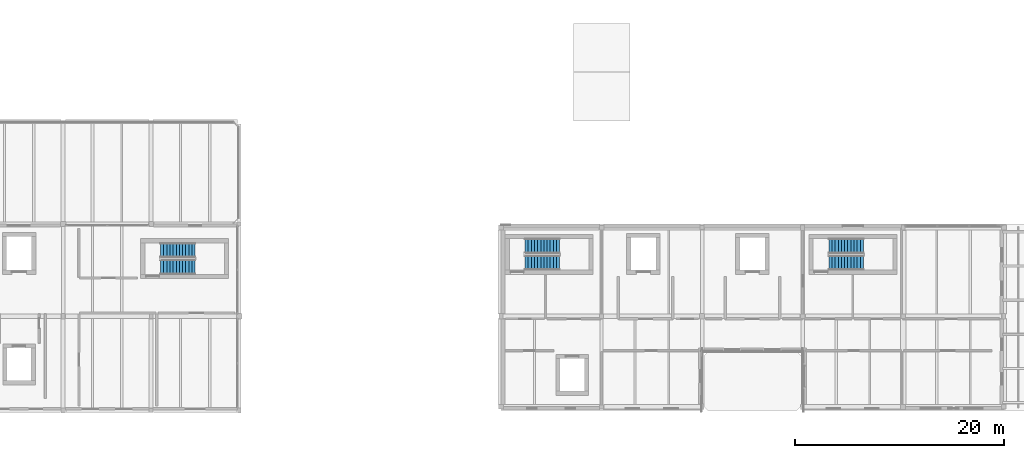
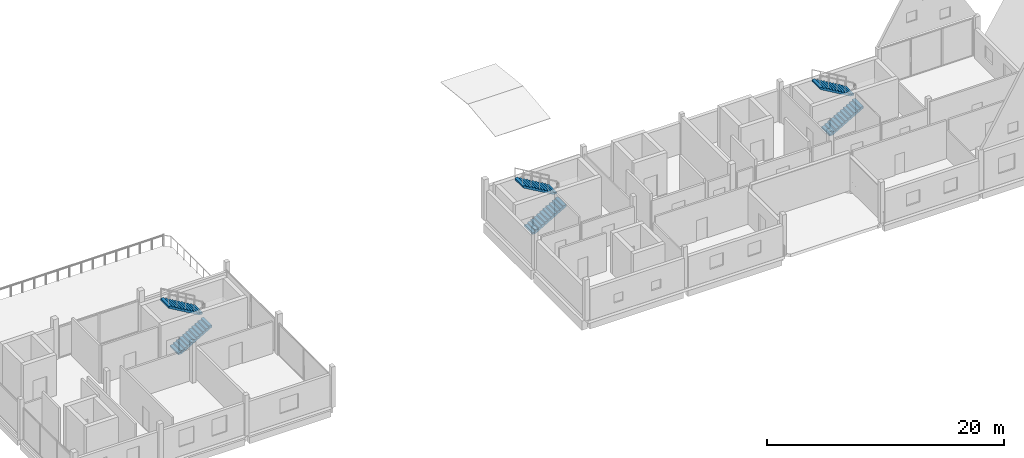
# One storey, part 18 of 23: 6 stair flights, 3 elements without a shape of their own.
"""IFC4 building model written with IfcOpenShell, lengths in metres."""

from ifc_helpers import new_model, si_unit, direction, frame, origin, place, context, subcontext, project, spatial, polyline, outline, extrude, material, type_object, element, aggregate, save


model = new_model("IFC4")

# Units and contexts
model_context = context("Model", 3, precision=1e-05, world=origin(), true_north=direction((0.0, 1.0)))
body_context = subcontext(model_context, "Body", "Model", "MODEL_VIEW")
ifc_project = project(units=[si_unit("LENGTHUNIT", "METRE"), si_unit("AREAUNIT", "SQUARE_METRE"), si_unit("VOLUMEUNIT", "CUBIC_METRE"), si_unit("PLANEANGLEUNIT", "RADIAN"), si_unit("MASSUNIT", "GRAM", prefix="KILO")], contexts=[model_context])

# Site, building, storey
site_placement = place(None, origin())
site = spatial("IfcSite", under=ifc_project, at=site_placement, CompositionType="ELEMENT")
building_placement = place(site_placement, origin())
building = spatial("IfcBuilding", under=site, at=building_placement, Name="Birchvale Park Specialist Clinic", CompositionType="ELEMENT")
storey_placement = place(building_placement, frame((0.0, 0.0, 18.0)))
storey = spatial("IfcBuildingStorey", under=building, at=storey_placement, Name="L04", CompositionType="ELEMENT", Elevation=18.0)

# Stair, stair flights
ifc_material = material(Name="Concrete C35/45", Category="concrete")
stair_type = type_object("IfcStairType", Name="ST-H42", PredefinedType="HALF_TURN_STAIR", material=ifc_material)
stair_1_placement = place(storey_placement, origin())
stair_1 = element("IfcStair", 1, at=stair_1_placement, inside=storey, type_object=stair_type, Name="L04 Protected exit stair ST2", PredefinedType="HALF_TURN_STAIR")
stair_flight_type = type_object("IfcStairFlightType", Name="FLT-ST-H42", PredefinedType="STRAIGHT", material=ifc_material)
stair_flight_1_placement = place(storey_placement, frame((28.89990234375, 30.5, 0.0), z_axis=(0.0, 0.0, 1.0), x_axis=(1.0, 0.0, 0.0)))
stair_flight_1 = element("IfcStairFlight", 2, at=stair_flight_1_placement, type_object=stair_flight_type, Name="ST2 flight 1", NumberOfRisers=12, NumberOfTreads=11, PredefinedType="STRAIGHT", RiserHeight=0.175, TreadLength=0.3, context=body_context, shape_type="SweptSolid", body=[
    extrude(outline(polyline([(0.0, 0.0), (0.0, 0.175048828125), (0.300048828125, 0.175048828125), (0.300048828125, 0.35009765625), (0.60009765625, 0.35009765625), (0.60009765625, 0.52490234375), (0.89990234375, 0.52490234375), (0.89990234375, 0.699951171875), (1.199951171875, 0.699951171875), (1.199951171875, 0.875), (1.5, 0.875), (1.5, 1.050048828125), (1.800048828125, 1.050048828125), (1.800048828125, 1.22509765625), (2.10009765625, 1.22509765625), (2.10009765625, 1.39990234375), (2.39990234375, 1.39990234375), (2.39990234375, 1.574951171875), (2.699951171875, 1.574951171875), (2.699951171875, 1.75), (3.0, 1.75), (3.0, 1.925048828125), (3.300048828125, 1.925048828125), (3.300048828125, 2.10009765625), (3.300048828125, 1.739990234375), (0.3173828125, 0.0), (0.0, 0.0)])), frame((0.0, 0.699951171875, 0.0), z_axis=(0.0, -1.0, 0.0), x_axis=(1.0, 0.0, 0.0)), (0.0, 0.0, 1.0), 1.39990234375),
])
stair_flight_2_placement = place(storey_placement, frame((32.199951171875, 32.10009765625, 2.10009765625), z_axis=(0.0, 0.0, 1.0), x_axis=(-1.0, 0.0, 0.0)))
stair_flight_2 = element("IfcStairFlight", 3, at=stair_flight_2_placement, type_object=stair_flight_type, Name="ST2 flight 2", NumberOfRisers=12, NumberOfTreads=11, PredefinedType="STRAIGHT", RiserHeight=0.175, TreadLength=0.3, context=body_context, shape_type="SweptSolid", body=[
    extrude(outline(polyline([(0.0, 0.0), (0.0, 0.175048828125), (0.300048828125, 0.175048828125), (0.300048828125, 0.35009765625), (0.60009765625, 0.35009765625), (0.60009765625, 0.52490234375), (0.89990234375, 0.52490234375), (0.89990234375, 0.699951171875), (1.199951171875, 0.699951171875), (1.199951171875, 0.875), (1.5, 0.875), (1.5, 1.050048828125), (1.800048828125, 1.050048828125), (1.800048828125, 1.22509765625), (2.10009765625, 1.22509765625), (2.10009765625, 1.39990234375), (2.39990234375, 1.39990234375), (2.39990234375, 1.574951171875), (2.699951171875, 1.574951171875), (2.699951171875, 1.75), (3.0, 1.75), (3.0, 1.925048828125), (3.300048828125, 1.925048828125), (3.300048828125, 2.10009765625), (3.300048828125, 1.739990234375), (0.3173828125, 0.0), (0.0, 0.0)])), frame((0.0, 0.699951171875, 0.0), z_axis=(0.0, -1.0, 0.0), x_axis=(1.0, 0.0, 0.0)), (0.0, 0.0, 1.0), 1.39990234375),
])
aggregate(stair_1, [stair_flight_1, stair_flight_2])

stair_2_placement = place(storey_placement, origin())
stair_2 = element("IfcStair", 4, at=stair_2_placement, inside=storey, type_object=stair_type, Name="L04 Protected exit stair ST4", PredefinedType="HALF_TURN_STAIR")
stair_flight_3_placement = place(storey_placement, frame((63.699951171875, 30.89990234375, 0.0), z_axis=(0.0, 0.0, 1.0), x_axis=(1.0, 0.0, 0.0)))
stair_flight_3 = element("IfcStairFlight", 5, at=stair_flight_3_placement, type_object=stair_flight_type, Name="ST4 flight 1", NumberOfRisers=12, NumberOfTreads=11, PredefinedType="STRAIGHT", RiserHeight=0.175, TreadLength=0.3, context=body_context, shape_type="SweptSolid", body=[
    extrude(outline(polyline([(0.0, 0.0), (0.0, 0.175048828125), (0.300048828125, 0.175048828125), (0.300048828125, 0.35009765625), (0.60009765625, 0.35009765625), (0.60009765625, 0.52490234375), (0.89990234375, 0.52490234375), (0.89990234375, 0.699951171875), (1.199951171875, 0.699951171875), (1.199951171875, 0.875), (1.5, 0.875), (1.5, 1.050048828125), (1.800048828125, 1.050048828125), (1.800048828125, 1.22509765625), (2.10009765625, 1.22509765625), (2.10009765625, 1.39990234375), (2.39990234375, 1.39990234375), (2.39990234375, 1.574951171875), (2.699951171875, 1.574951171875), (2.699951171875, 1.75), (3.0, 1.75), (3.0, 1.925048828125), (3.300048828125, 1.925048828125), (3.300048828125, 2.10009765625), (3.300048828125, 1.739990234375), (0.3173828125, 0.0), (0.0, 0.0)])), frame((0.0, 0.699951171875, 0.0), z_axis=(0.0, -1.0, 0.0), x_axis=(1.0, 0.0, 0.0)), (0.0, 0.0, 1.0), 1.39990234375),
])
stair_flight_4_placement = place(storey_placement, frame((67.0, 32.5, 2.10009765625), z_axis=(0.0, 0.0, 1.0), x_axis=(-1.0, 0.0, 0.0)))
stair_flight_4 = element("IfcStairFlight", 6, at=stair_flight_4_placement, type_object=stair_flight_type, Name="ST4 flight 2", NumberOfRisers=12, NumberOfTreads=11, PredefinedType="STRAIGHT", RiserHeight=0.175, TreadLength=0.3, context=body_context, shape_type="SweptSolid", body=[
    extrude(outline(polyline([(0.0, 0.0), (0.0, 0.175048828125), (0.300048828125, 0.175048828125), (0.300048828125, 0.35009765625), (0.60009765625, 0.35009765625), (0.60009765625, 0.52490234375), (0.89990234375, 0.52490234375), (0.89990234375, 0.699951171875), (1.199951171875, 0.699951171875), (1.199951171875, 0.875), (1.5, 0.875), (1.5, 1.050048828125), (1.800048828125, 1.050048828125), (1.800048828125, 1.22509765625), (2.10009765625, 1.22509765625), (2.10009765625, 1.39990234375), (2.39990234375, 1.39990234375), (2.39990234375, 1.574951171875), (2.699951171875, 1.574951171875), (2.699951171875, 1.75), (3.0, 1.75), (3.0, 1.925048828125), (3.300048828125, 1.925048828125), (3.300048828125, 2.10009765625), (3.300048828125, 1.739990234375), (0.3173828125, 0.0), (0.0, 0.0)])), frame((0.0, 0.699951171875, 0.0), z_axis=(0.0, -1.0, 0.0), x_axis=(1.0, 0.0, 0.0)), (0.0, 0.0, 1.0), 1.39990234375),
])
aggregate(stair_2, [stair_flight_3, stair_flight_4])

stair_3_placement = place(storey_placement, origin())
stair_3 = element("IfcStair", 7, at=stair_3_placement, inside=storey, type_object=stair_type, Name="L04 Protected exit stair ST5", PredefinedType="HALF_TURN_STAIR")
stair_flight_5_placement = place(storey_placement, frame((92.699951171875, 30.89990234375, 0.0), z_axis=(0.0, 0.0, 1.0), x_axis=(1.0, 0.0, 0.0)))
stair_flight_5 = element("IfcStairFlight", 8, at=stair_flight_5_placement, type_object=stair_flight_type, Name="ST5 flight 1", NumberOfRisers=12, NumberOfTreads=11, PredefinedType="STRAIGHT", RiserHeight=0.175, TreadLength=0.3, context=body_context, shape_type="SweptSolid", body=[
    extrude(outline(polyline([(0.0, 0.0), (0.0, 0.175048828125), (0.300048828125, 0.175048828125), (0.300048828125, 0.35009765625), (0.60009765625, 0.35009765625), (0.60009765625, 0.52490234375), (0.89990234375, 0.52490234375), (0.89990234375, 0.699951171875), (1.199951171875, 0.699951171875), (1.199951171875, 0.875), (1.5, 0.875), (1.5, 1.050048828125), (1.800048828125, 1.050048828125), (1.800048828125, 1.22509765625), (2.10009765625, 1.22509765625), (2.10009765625, 1.39990234375), (2.39990234375, 1.39990234375), (2.39990234375, 1.574951171875), (2.699951171875, 1.574951171875), (2.699951171875, 1.75), (3.0, 1.75), (3.0, 1.925048828125), (3.300048828125, 1.925048828125), (3.300048828125, 2.10009765625), (3.300048828125, 1.739990234375), (0.3173828125, 0.0), (0.0, 0.0)])), frame((0.0, 0.699951171875, 0.0), z_axis=(0.0, -1.0, 0.0), x_axis=(1.0, 0.0, 0.0)), (0.0, 0.0, 1.0), 1.39990234375),
])
stair_flight_6_placement = place(storey_placement, frame((96.0, 32.5, 2.10009765625), z_axis=(0.0, 0.0, 1.0), x_axis=(-1.0, 0.0, 0.0)))
stair_flight_6 = element("IfcStairFlight", 9, at=stair_flight_6_placement, type_object=stair_flight_type, Name="ST5 flight 2", NumberOfRisers=12, NumberOfTreads=11, PredefinedType="STRAIGHT", RiserHeight=0.175, TreadLength=0.3, context=body_context, shape_type="SweptSolid", body=[
    extrude(outline(polyline([(0.0, 0.0), (0.0, 0.175048828125), (0.300048828125, 0.175048828125), (0.300048828125, 0.35009765625), (0.60009765625, 0.35009765625), (0.60009765625, 0.52490234375), (0.89990234375, 0.52490234375), (0.89990234375, 0.699951171875), (1.199951171875, 0.699951171875), (1.199951171875, 0.875), (1.5, 0.875), (1.5, 1.050048828125), (1.800048828125, 1.050048828125), (1.800048828125, 1.22509765625), (2.10009765625, 1.22509765625), (2.10009765625, 1.39990234375), (2.39990234375, 1.39990234375), (2.39990234375, 1.574951171875), (2.699951171875, 1.574951171875), (2.699951171875, 1.75), (3.0, 1.75), (3.0, 1.925048828125), (3.300048828125, 1.925048828125), (3.300048828125, 2.10009765625), (3.300048828125, 1.739990234375), (0.3173828125, 0.0), (0.0, 0.0)])), frame((0.0, 0.699951171875, 0.0), z_axis=(0.0, -1.0, 0.0), x_axis=(1.0, 0.0, 0.0)), (0.0, 0.0, 1.0), 1.39990234375),
])
aggregate(stair_3, [stair_flight_5, stair_flight_6])

save(model, "model.ifc")
